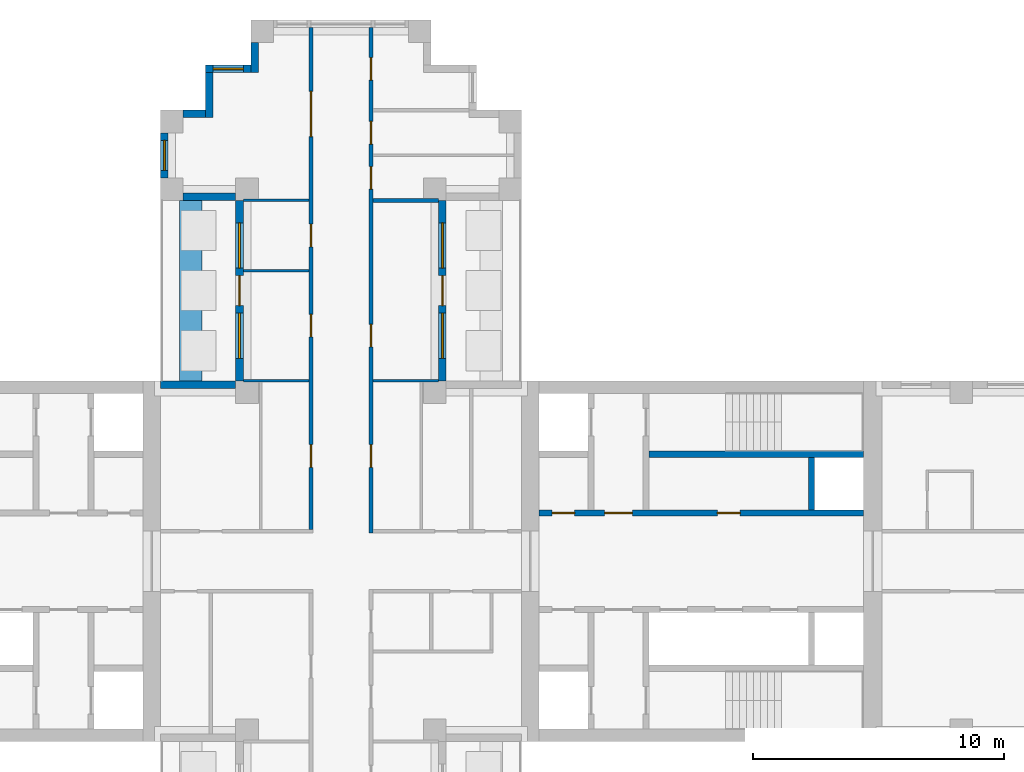
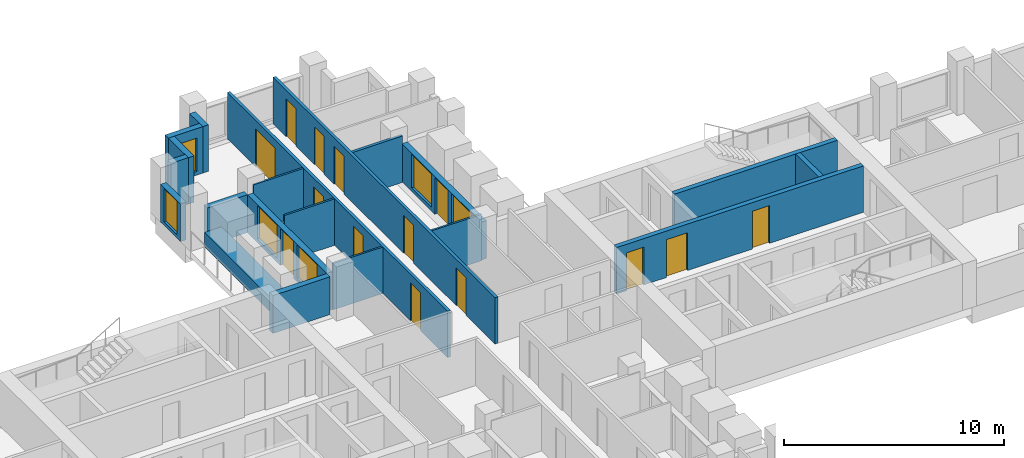
# One storey, part 9 of 14: 20 walls, 14 doors, 6 windows, 20 openings.
"""IFC4 building model written with IfcOpenShell, lengths in metres."""

from ifc_helpers import new_model, si_unit, direction, frame, frame_2d, origin, place, context, subcontext, project, spatial, rectangle, extrude, material, layer, layer_set, type_object, element, fill, save


model = new_model("IFC4")

# Units and contexts
model_context = context("Model", 3, precision=1e-05, world=origin(), true_north=direction((0.0, 1.0)))
body_context = subcontext(model_context, "Body", "Model", "MODEL_VIEW")
ifc_project = project(units=[si_unit("LENGTHUNIT", "METRE"), si_unit("AREAUNIT", "SQUARE_METRE"), si_unit("VOLUMEUNIT", "CUBIC_METRE"), si_unit("PLANEANGLEUNIT", "RADIAN"), si_unit("MASSUNIT", "GRAM", prefix="KILO")], contexts=[model_context])

# Site, building, storey
site_placement = place(None, origin())
site = spatial("IfcSite", under=ifc_project, at=site_placement, CompositionType="ELEMENT")
building_placement = place(site_placement, origin())
building = spatial("IfcBuilding", under=site, at=building_placement, Name="Fustian Cross Tower", CompositionType="ELEMENT")
storey_placement = place(building_placement, frame((0.0, 0.0, 93.89990234375)))
storey = spatial("IfcBuildingStorey", under=building, at=storey_placement, Name="L29", CompositionType="ELEMENT", Elevation=93.89990234375)

# Wall, openings, doors
ifc_material_1 = material(Name="Plasterboard on steel stud", Category="steel")
ifc_layer_1 = layer(ifc_material_1, 0.14990234375)
ifc_layer_set_1 = layer_set([ifc_layer_1], Name="Plasterboard on steel stud")
wall_type_1 = type_object("IfcWallType", Name="COMPARTMENT WALL 150 EI 60", PredefinedType="PARTITIONING", material=ifc_layer_set_1)
wall_1_placement = place(storey_placement, frame((-1.199951171875, 1.27490234375, 0.0), z_axis=(0.0, 0.0, 1.0), x_axis=(0.0, 1.0, 0.0)))
wall_1 = element("IfcWall", 1, at=wall_1_placement, inside=storey, type_object=wall_type_1, Name="Partition 42", PredefinedType="PARTITIONING", context=body_context, shape_type="SweptSolid", body=[
    extrude(rectangle(XDim=20.025146484375, YDim=0.14990234375, at=frame_2d((10.0126953125, 0.0))), origin(), (0.0, 0.0, 1.0), 2.5751953125),
])
opening_1_placement = place(wall_1_placement, frame((2.47509765625, 0.0, 0.0)))
opening_1 = element("IfcOpeningElement", 2, at=opening_1_placement, cuts=wall_1, Name="Opening D14004", PredefinedType="OPENING", context=body_context, shape_type="SweptSolid", body=[
    extrude(rectangle(XDim=0.89990234375, YDim=2.10009765625, at=frame_2d((0.449951171875, 1.050048828125))), frame((0.0, 0.0849609375, 0.0), z_axis=(0.0, -1.0, 0.0), x_axis=(1.0, 0.0, 0.0)), (0.0, 0.0, 1.0), 0.169921875),
])
opening_2_placement = place(wall_1_placement, frame((11.27490234375, 0.0, 0.0)))
opening_2 = element("IfcOpeningElement", 3, at=opening_2_placement, cuts=wall_1, Name="Opening D14020", PredefinedType="OPENING", context=body_context, shape_type="SweptSolid", body=[
    extrude(rectangle(XDim=0.89990234375, YDim=2.10009765625, at=frame_2d((0.449951171875, 1.050048828125))), frame((0.0, 0.0849609375, 0.0), z_axis=(0.0, -1.0, 0.0), x_axis=(1.0, 0.0, 0.0)), (0.0, 0.0, 1.0), 0.169921875),
])
opening_3_placement = place(wall_1_placement, frame((7.675048828125, 0.0, 0.0)))
opening_3 = element("IfcOpeningElement", 4, at=opening_3_placement, cuts=wall_1, Name="Opening D14021", PredefinedType="OPENING", context=body_context, shape_type="SweptSolid", body=[
    extrude(rectangle(XDim=0.89990234375, YDim=2.10009765625, at=frame_2d((0.449951171875, 1.050048828125))), frame((0.0, 0.0849609375, 0.0), z_axis=(0.0, -1.0, 0.0), x_axis=(1.0, 0.0, 0.0)), (0.0, 0.0, 1.0), 0.169921875),
])
opening_4_placement = place(wall_1_placement, frame((15.675048828125, 0.0, 0.0)))
opening_4 = element("IfcOpeningElement", 5, at=opening_4_placement, cuts=wall_1, Name="Opening D14022", PredefinedType="OPENING", context=body_context, shape_type="SweptSolid", body=[
    extrude(rectangle(XDim=1.800048828125, YDim=2.10009765625, at=frame_2d((0.89990234375, 1.050048828125))), frame((0.0, 0.0849609375, 0.0), z_axis=(0.0, -1.0, 0.0), x_axis=(1.0, 0.0, 0.0)), (0.0, 0.0, 1.0), 0.169921875),
])
ifc_material_2 = material(Name="Timber fire door set", Category="wood")
door_type_1 = type_object("IfcDoorType", Name="FIRE DOUBLE DOOR 1800 FD30S", OperationType="DOUBLE_DOOR_DOUBLE_SWING", PredefinedType="DOOR", material=ifc_material_2)
door_1_placement = place(opening_4_placement, frame((1.800048828125, 0.0, 0.0), z_axis=(0.0, 0.0, 1.0), x_axis=(-1.0, 0.0, 0.0)))
door_1 = element("IfcDoor", 6, at=door_1_placement, inside=storey, type_object=door_type_1, Name="Door D14022", OperationType="DOUBLE_DOOR_DOUBLE_SWING", OverallHeight=2.10009765625, OverallWidth=1.800048828125, PredefinedType="DOOR", context=body_context, shape_type="SweptSolid", body=[
    extrude(rectangle(XDim=1.800048828125, YDim=2.10009765625, at=frame_2d((0.89990234375, 1.050048828125))), frame((0.0, 0.02490234375, 0.0), z_axis=(0.0, -1.0, 0.0), x_axis=(1.0, 0.0, 0.0)), (0.0, 0.0, 1.0), 0.050048828125),
])
fill(opening_4, door_1)
ifc_material_3 = material(Name="Timber fire door set", Category="wood")
door_type_2 = type_object("IfcDoorType", Name="FIRE SWING DOOR 900 FD30S", OperationType="SINGLE_SWING_LEFT", PredefinedType="DOOR", material=ifc_material_3)
door_2_placement = place(opening_1_placement, origin())
door_2 = element("IfcDoor", 7, at=door_2_placement, inside=storey, type_object=door_type_2, Name="Door D14004", OperationType="SINGLE_SWING_LEFT", OverallHeight=2.10009765625, OverallWidth=0.89990234375, PredefinedType="DOOR", context=body_context, shape_type="SweptSolid", body=[
    extrude(rectangle(XDim=0.89990234375, YDim=2.10009765625, at=frame_2d((0.449951171875, 1.050048828125))), frame((0.0, 0.02490234375, 0.0), z_axis=(0.0, -1.0, 0.0), x_axis=(1.0, 0.0, 0.0)), (0.0, 0.0, 1.0), 0.050048828125),
])
fill(opening_1, door_2)
door_3_placement = place(opening_2_placement, origin())
door_3 = element("IfcDoor", 8, at=door_3_placement, inside=storey, type_object=door_type_2, Name="Door D14020", OperationType="SINGLE_SWING_LEFT", OverallHeight=2.10009765625, OverallWidth=0.89990234375, PredefinedType="DOOR", context=body_context, shape_type="SweptSolid", body=[
    extrude(rectangle(XDim=0.89990234375, YDim=2.10009765625, at=frame_2d((0.449951171875, 1.050048828125))), frame((0.0, 0.02490234375, 0.0), z_axis=(0.0, -1.0, 0.0), x_axis=(1.0, 0.0, 0.0)), (0.0, 0.0, 1.0), 0.050048828125),
])
fill(opening_2, door_3)
door_4_placement = place(opening_3_placement, origin())
door_4 = element("IfcDoor", 9, at=door_4_placement, inside=storey, type_object=door_type_2, Name="Door D14021", OperationType="SINGLE_SWING_LEFT", OverallHeight=2.10009765625, OverallWidth=0.89990234375, PredefinedType="DOOR", context=body_context, shape_type="SweptSolid", body=[
    extrude(rectangle(XDim=0.89990234375, YDim=2.10009765625, at=frame_2d((0.449951171875, 1.050048828125))), frame((0.0, 0.02490234375, 0.0), z_axis=(0.0, -1.0, 0.0), x_axis=(1.0, 0.0, 0.0)), (0.0, 0.0, 1.0), 0.050048828125),
])
fill(opening_3, door_4)

wall_2_placement = place(storey_placement, frame((1.199951171875, 1.125, 0.0), z_axis=(0.0, 0.0, 1.0), x_axis=(0.0, 1.0, 0.0)))
wall_2 = element("IfcWall", 10, at=wall_2_placement, inside=storey, type_object=wall_type_1, Name="Partition 50", PredefinedType="PARTITIONING", context=body_context, shape_type="SweptSolid", body=[
    extrude(rectangle(XDim=20.175048828125, YDim=0.14990234375, at=frame_2d((10.08740234375, 0.0))), origin(), (0.0, 0.0, 1.0), 2.5751953125),
])
opening_5_placement = place(wall_2_placement, frame((2.625, 0.0, 0.0)))
opening_5 = element("IfcOpeningElement", 11, at=opening_5_placement, cuts=wall_2, Name="Opening D14001", PredefinedType="OPENING", context=body_context, shape_type="SweptSolid", body=[
    extrude(rectangle(XDim=0.89990234375, YDim=2.10009765625, at=frame_2d((0.449951171875, 1.050048828125))), frame((0.0, 0.0849609375, 0.0), z_axis=(0.0, -1.0, 0.0), x_axis=(1.0, 0.0, 0.0)), (0.0, 0.0, 1.0), 0.169921875),
])
opening_6_placement = place(wall_2_placement, frame((7.425048828125, 0.0, 0.0)))
opening_6 = element("IfcOpeningElement", 12, at=opening_6_placement, cuts=wall_2, Name="Opening D14023", PredefinedType="OPENING", context=body_context, shape_type="SweptSolid", body=[
    extrude(rectangle(XDim=0.89990234375, YDim=2.10009765625, at=frame_2d((0.449951171875, 1.050048828125))), frame((0.0, 0.0849609375, 0.0), z_axis=(0.0, -1.0, 0.0), x_axis=(1.0, 0.0, 0.0)), (0.0, 0.0, 1.0), 0.169921875),
])
opening_7_placement = place(wall_2_placement, frame((13.72509765625, 0.0, 0.0)))
opening_7 = element("IfcOpeningElement", 13, at=opening_7_placement, cuts=wall_2, Name="Opening D14024", PredefinedType="OPENING", context=body_context, shape_type="SweptSolid", body=[
    extrude(rectangle(XDim=0.89990234375, YDim=2.10009765625, at=frame_2d((0.449951171875, 1.050048828125))), frame((0.0, 0.0849609375, 0.0), z_axis=(0.0, -1.0, 0.0), x_axis=(1.0, 0.0, 0.0)), (0.0, 0.0, 1.0), 0.169921875),
])
opening_8_placement = place(wall_2_placement, frame((15.52490234375, 0.0, 0.0)))
opening_8 = element("IfcOpeningElement", 14, at=opening_8_placement, cuts=wall_2, Name="Opening D14025", PredefinedType="OPENING", context=body_context, shape_type="SweptSolid", body=[
    extrude(rectangle(XDim=0.89990234375, YDim=2.10009765625, at=frame_2d((0.449951171875, 1.050048828125))), frame((0.0, 0.0849609375, 0.0), z_axis=(0.0, -1.0, 0.0), x_axis=(1.0, 0.0, 0.0)), (0.0, 0.0, 1.0), 0.169921875),
])
opening_9_placement = place(wall_2_placement, frame((18.074951171875, 0.0, 0.0)))
opening_9 = element("IfcOpeningElement", 15, at=opening_9_placement, cuts=wall_2, Name="Opening D14026", PredefinedType="OPENING", context=body_context, shape_type="SweptSolid", body=[
    extrude(rectangle(XDim=0.89990234375, YDim=2.10009765625, at=frame_2d((0.449951171875, 1.050048828125))), frame((0.0, 0.0849609375, 0.0), z_axis=(0.0, -1.0, 0.0), x_axis=(1.0, 0.0, 0.0)), (0.0, 0.0, 1.0), 0.169921875),
])
door_5_placement = place(opening_5_placement, frame((0.89990234375, 0.0, 0.0), z_axis=(0.0, 0.0, 1.0), x_axis=(-1.0, 0.0, 0.0)))
door_5 = element("IfcDoor", 16, at=door_5_placement, inside=storey, type_object=door_type_2, Name="Door D14001", OperationType="SINGLE_SWING_RIGHT", OverallHeight=2.10009765625, OverallWidth=0.89990234375, PredefinedType="DOOR", context=body_context, shape_type="SweptSolid", body=[
    extrude(rectangle(XDim=0.89990234375, YDim=2.10009765625, at=frame_2d((0.449951171875, 1.050048828125))), frame((0.0, 0.02490234375, 0.0), z_axis=(0.0, -1.0, 0.0), x_axis=(1.0, 0.0, 0.0)), (0.0, 0.0, 1.0), 0.050048828125),
])
fill(opening_5, door_5)
door_6_placement = place(opening_6_placement, frame((0.89990234375, 0.0, 0.0), z_axis=(0.0, 0.0, 1.0), x_axis=(-1.0, 0.0, 0.0)))
door_6 = element("IfcDoor", 17, at=door_6_placement, inside=storey, type_object=door_type_2, Name="Door D14023", OperationType="SINGLE_SWING_RIGHT", OverallHeight=2.10009765625, OverallWidth=0.89990234375, PredefinedType="DOOR", context=body_context, shape_type="SweptSolid", body=[
    extrude(rectangle(XDim=0.89990234375, YDim=2.10009765625, at=frame_2d((0.449951171875, 1.050048828125))), frame((0.0, 0.02490234375, 0.0), z_axis=(0.0, -1.0, 0.0), x_axis=(1.0, 0.0, 0.0)), (0.0, 0.0, 1.0), 0.050048828125),
])
fill(opening_6, door_6)
door_7_placement = place(opening_7_placement, frame((0.89990234375, 0.0, 0.0), z_axis=(0.0, 0.0, 1.0), x_axis=(-1.0, 0.0, 0.0)))
door_7 = element("IfcDoor", 18, at=door_7_placement, inside=storey, type_object=door_type_2, Name="Door D14024", OperationType="SINGLE_SWING_LEFT", OverallHeight=2.10009765625, OverallWidth=0.89990234375, PredefinedType="DOOR", context=body_context, shape_type="SweptSolid", body=[
    extrude(rectangle(XDim=0.89990234375, YDim=2.10009765625, at=frame_2d((0.449951171875, 1.050048828125))), frame((0.0, 0.02490234375, 0.0), z_axis=(0.0, -1.0, 0.0), x_axis=(1.0, 0.0, 0.0)), (0.0, 0.0, 1.0), 0.050048828125),
])
fill(opening_7, door_7)
door_8_placement = place(opening_8_placement, frame((0.89990234375, 0.0, 0.0), z_axis=(0.0, 0.0, 1.0), x_axis=(-1.0, 0.0, 0.0)))
door_8 = element("IfcDoor", 19, at=door_8_placement, inside=storey, type_object=door_type_2, Name="Door D14025", OperationType="SINGLE_SWING_LEFT", OverallHeight=2.10009765625, OverallWidth=0.89990234375, PredefinedType="DOOR", context=body_context, shape_type="SweptSolid", body=[
    extrude(rectangle(XDim=0.89990234375, YDim=2.10009765625, at=frame_2d((0.449951171875, 1.050048828125))), frame((0.0, 0.02490234375, 0.0), z_axis=(0.0, -1.0, 0.0), x_axis=(1.0, 0.0, 0.0)), (0.0, 0.0, 1.0), 0.050048828125),
])
fill(opening_8, door_8)
door_9_placement = place(opening_9_placement, frame((0.89990234375, 0.0, 0.0), z_axis=(0.0, 0.0, 1.0), x_axis=(-1.0, 0.0, 0.0)))
door_9 = element("IfcDoor", 20, at=door_9_placement, inside=storey, type_object=door_type_2, Name="Door D14026", OperationType="SINGLE_SWING_RIGHT", OverallHeight=2.10009765625, OverallWidth=0.89990234375, PredefinedType="DOOR", context=body_context, shape_type="SweptSolid", body=[
    extrude(rectangle(XDim=0.89990234375, YDim=2.10009765625, at=frame_2d((0.449951171875, 1.050048828125))), frame((0.0, 0.02490234375, 0.0), z_axis=(0.0, -1.0, 0.0), x_axis=(1.0, 0.0, 0.0)), (0.0, 0.0, 1.0), 0.050048828125),
])
fill(opening_9, door_9)

# Wall
wall_3_placement = place(storey_placement, frame((1.27490234375, 14.39990234375, 0.0), z_axis=(0.0, 0.0, 1.0), x_axis=(1.0, 0.0, 0.0)))
element("IfcWall", 21, at=wall_3_placement, inside=storey, type_object=wall_type_1, Name="Partition 53", PredefinedType="PARTITIONING", context=body_context, shape_type="SweptSolid", body=[
    extrude(rectangle(XDim=2.625, YDim=0.14990234375, at=frame_2d((1.3125, 0.0))), origin(), (0.0, 0.0, 1.0), 2.5751953125),
])

# Wall, openings, doors
ifc_material_4 = material(Name="Concrete C50/60", Category="concrete")
ifc_layer_2 = layer(ifc_material_4, 0.25)
ifc_layer_set_2 = layer_set([ifc_layer_2], Name="Concrete C50/60")
wall_type_2 = type_object("IfcWallType", Name="CORE LOBBY WALL 250 C50/60", PredefinedType="SHEAR", material=ifc_layer_set_2)
wall_4_placement = place(storey_placement, frame((7.89990234375, 1.925048828125, 0.0), z_axis=(0.0, 0.0, 1.0), x_axis=(1.0, 0.0, 0.0)))
wall_4 = element("IfcWall", 22, at=wall_4_placement, inside=storey, type_object=wall_type_2, Name="Core lobby wall", PredefinedType="SHEAR", context=body_context, shape_type="SweptSolid", body=[
    extrude(rectangle(XDim=12.9501953125, YDim=0.25, at=frame_2d((6.47509765625, 0.0))), origin(), (0.0, 0.0, 1.0), 2.5751953125),
])
opening_10_placement = place(wall_4_placement, frame((0.52490234375, 0.0, 0.0)))
opening_10 = element("IfcOpeningElement", 23, at=opening_10_placement, cuts=wall_4, Name="Opening CD-09-08", PredefinedType="OPENING", context=body_context, shape_type="SweptSolid", body=[
    extrude(rectangle(XDim=0.89990234375, YDim=2.10009765625, at=frame_2d((0.449951171875, 1.050048828125))), frame((0.0, 0.135009765625, 0.0), z_axis=(0.0, -1.0, 0.0), x_axis=(1.0, 0.0, 0.0)), (0.0, 0.0, 1.0), 0.27001953125),
])
opening_11_placement = place(wall_4_placement, frame((2.625, 0.0, 0.0)))
opening_11 = element("IfcOpeningElement", 24, at=opening_11_placement, cuts=wall_4, Name="Opening CD-09-10", PredefinedType="OPENING", context=body_context, shape_type="SweptSolid", body=[
    extrude(rectangle(XDim=1.10009765625, YDim=2.10009765625, at=frame_2d((0.550048828125, 1.050048828125))), frame((0.0, 0.135009765625, 0.0), z_axis=(0.0, -1.0, 0.0), x_axis=(1.0, 0.0, 0.0)), (0.0, 0.0, 1.0), 0.27001953125),
])
opening_12_placement = place(wall_4_placement, frame((7.125, 0.0, 0.0)))
opening_12 = element("IfcOpeningElement", 25, at=opening_12_placement, cuts=wall_4, Name="Opening CD-09-14", PredefinedType="OPENING", context=body_context, shape_type="SweptSolid", body=[
    extrude(rectangle(XDim=0.89990234375, YDim=2.10009765625, at=frame_2d((0.449951171875, 1.050048828125))), frame((0.0, 0.135009765625, 0.0), z_axis=(0.0, -1.0, 0.0), x_axis=(1.0, 0.0, 0.0)), (0.0, 0.0, 1.0), 0.27001953125),
])
ifc_material_5 = material(Name="Steel", Category="steel")
door_type_3 = type_object("IfcDoorType", Name="FIRE DOOR FD30S 900X2100", OperationType="SINGLE_SWING_LEFT", PredefinedType="DOOR", material=ifc_material_5)
door_10_placement = place(opening_12_placement, origin())
door_10 = element("IfcDoor", 26, at=door_10_placement, inside=storey, type_object=door_type_3, Name="Core door CD-09-14", OperationType="SINGLE_SWING_LEFT", OverallHeight=2.10009765625, OverallWidth=0.89990234375, PredefinedType="DOOR", context=body_context, shape_type="SweptSolid", body=[
    extrude(rectangle(XDim=0.89990234375, YDim=2.10009765625, at=frame_2d((0.449951171875, 1.050048828125))), frame((0.0, 0.02490234375, 0.0), z_axis=(0.0, -1.0, 0.0), x_axis=(1.0, 0.0, 0.0)), (0.0, 0.0, 1.0), 0.050048828125),
])
fill(opening_12, door_10)
ifc_material_6 = material(Name="Steel", Category="steel")
door_type_4 = type_object("IfcDoorType", Name="FIRE DOOR FD60S 1100X2100", OperationType="SINGLE_SWING_LEFT", PredefinedType="DOOR", material=ifc_material_6)
door_11_placement = place(opening_11_placement, frame((1.10009765625, 0.0, 0.0), z_axis=(0.0, 0.0, 1.0), x_axis=(-1.0, 0.0, 0.0)))
door_11 = element("IfcDoor", 27, at=door_11_placement, inside=storey, type_object=door_type_4, Name="Core door CD-09-10", OperationType="SINGLE_SWING_RIGHT", OverallHeight=2.10009765625, OverallWidth=1.10009765625, PredefinedType="DOOR", context=body_context, shape_type="SweptSolid", body=[
    extrude(rectangle(XDim=1.10009765625, YDim=2.10009765625, at=frame_2d((0.550048828125, 1.050048828125))), frame((0.0, 0.02490234375, 0.0), z_axis=(0.0, -1.0, 0.0), x_axis=(1.0, 0.0, 0.0)), (0.0, 0.0, 1.0), 0.050048828125),
])
fill(opening_11, door_11)
ifc_material_7 = material(Name="Steel", Category="steel")
door_type_5 = type_object("IfcDoorType", Name="FIRE DOOR FD60S 900X2100", OperationType="SINGLE_SWING_LEFT", PredefinedType="DOOR", material=ifc_material_7)
door_12_placement = place(opening_10_placement, origin())
door_12 = element("IfcDoor", 28, at=door_12_placement, inside=storey, type_object=door_type_5, Name="Core door CD-09-08", OperationType="SINGLE_SWING_LEFT", OverallHeight=2.10009765625, OverallWidth=0.89990234375, PredefinedType="DOOR", context=body_context, shape_type="SweptSolid", body=[
    extrude(rectangle(XDim=0.89990234375, YDim=2.10009765625, at=frame_2d((0.449951171875, 1.050048828125))), frame((0.0, 0.02490234375, 0.0), z_axis=(0.0, -1.0, 0.0), x_axis=(1.0, 0.0, 0.0)), (0.0, 0.0, 1.0), 0.050048828125),
])
fill(opening_10, door_12)

# Walls
ifc_material_8 = material(Name="Concrete C50/60", Category="concrete")
ifc_layer_3 = layer(ifc_material_8, 0.25)
ifc_layer_set_3 = layer_set([ifc_layer_3], Name="Concrete C50/60")
wall_type_3 = type_object("IfcWallType", Name="CORE SHAFT WALL 250 C50/60", PredefinedType="SHEAR", material=ifc_layer_set_3)
wall_5_placement = place(storey_placement, frame((12.300048828125, 4.27490234375, 0.0), z_axis=(0.0, 0.0, 1.0), x_axis=(1.0, 0.0, 0.0)))
element("IfcWall", 29, at=wall_5_placement, inside=storey, type_object=wall_type_3, Name="Core shaft wall", PredefinedType="SHEAR", context=body_context, shape_type="SweptSolid", body=[
    extrude(rectangle(XDim=8.550048828125, YDim=0.25, at=frame_2d((4.27490234375, 0.0))), origin(), (0.0, 0.0, 1.0), 2.5751953125),
])
ifc_material_9 = material(Name="Plasterboard on steel stud", Category="steel")
ifc_layer_4 = layer(ifc_material_9, 0.10009765625)
ifc_layer_set_4 = layer_set([ifc_layer_4], Name="Plasterboard on steel stud")
wall_type_4 = type_object("IfcWallType", Name="PARTITION 100 STUD", PredefinedType="PARTITIONING", material=ifc_layer_set_4)
for number, where, z_axis, x_axis, name in (
    (30, (-3.89990234375, 7.199951171875, 0.0), (0.0, 0.0, 1.0), (1.0, 0.0, 0.0), "Partition 35"),
    (31, (-3.89990234375, 11.60009765625, 0.0), (0.0, 0.0, 1.0), (1.0, 0.0, 0.0), "Partition 36"),
    (32, (-3.89990234375, 14.39990234375, 0.0), (0.0, 0.0, 1.0), (1.0, 0.0, 0.0), "Partition 37"),
    (33, (1.27490234375, 7.199951171875, 0.0), (0.0, 0.0, 1.0), (1.0, 0.0, 0.0), "Partition 52"),
):
    element("IfcWall", number, at=place(storey_placement, frame(where, z_axis=z_axis, x_axis=x_axis)), inside=storey, type_object=wall_type_4, Name=name, PredefinedType="PARTITIONING", context=body_context, shape_type="SweptSolid", body=[
        extrude(rectangle(XDim=2.625, YDim=0.10009765625, at=frame_2d((1.3125, 0.0))), origin(), (0.0, 0.0, 1.0), 2.5751953125),
    ])
ifc_material_10 = material(Name="Concrete C40/50", Category="concrete")
ifc_layer_5 = layer(ifc_material_10, 0.89990234375)
ifc_layer_set_5 = layer_set([ifc_layer_5], Name="Concrete C40/50")
wall_type_5 = type_object("IfcWallType", Name="PK1 PLANTER 900", PredefinedType="PARAPET", material=ifc_layer_set_5)
wall_6_placement = place(storey_placement, frame((-6.0, 7.199951171875, 0.0), z_axis=(0.0, 0.0, 1.0), x_axis=(0.0, 1.0, 0.0)))
element("IfcWall", 34, at=wall_6_placement, inside=storey, type_object=wall_type_5, Name="PLANTER", PredefinedType="PARAPET", context=body_context, shape_type="SweptSolid", body=[
    extrude(rectangle(XDim=7.199951171875, YDim=0.89990234375, at=frame_2d((3.60009765625, 0.0))), origin(), (0.0, 0.0, 1.0), 0.800048828125),
])
ifc_material_11 = material(Name="Concrete C40/50", Category="concrete")
ifc_layer_6 = layer(ifc_material_11, 0.25)
ifc_layer_set_6 = layer_set([ifc_layer_6], Name="Concrete C40/50")
wall_type_6 = type_object("IfcWallType", Name="SHAFT PARTITION WALL 250 C40/50", PredefinedType="PARTITIONING", material=ifc_layer_set_6)
wall_7_placement = place(storey_placement, frame((18.77490234375, 2.050048828125, 0.0), z_axis=(0.0, 0.0, 1.0), x_axis=(0.0, 1.0, 0.0)))
element("IfcWall", 35, at=wall_7_placement, inside=storey, type_object=wall_type_6, Name="Core shaft wall", PredefinedType="PARTITIONING", context=body_context, shape_type="SweptSolid", body=[
    extrude(rectangle(XDim=2.099853515625, YDim=0.25, at=frame_2d((1.0498046875, 0.0))), origin(), (0.0, 0.0, 1.0), 2.5751953125),
])

# Wall, openings, door, windows
ifc_material_12 = material(Name="Dark aluminium cladding on insulated backing wall", Category="aluminium")
ifc_layer_7 = layer(ifc_material_12, 0.300048828125)
ifc_layer_set_7 = layer_set([ifc_layer_7], Name="Dark aluminium cladding on insulated backing wall")
wall_type_7 = type_object("IfcWallType", Name="XW1 EXTERNAL WALL 300", PredefinedType="SOLIDWALL", material=ifc_layer_set_7)
wall_8_placement = place(storey_placement, frame((4.050048828125, 7.199951171875, 0.0), z_axis=(0.0, 0.0, 1.0), x_axis=(0.0, 1.0, 0.0)))
wall_8 = element("IfcWall", 36, at=wall_8_placement, inside=storey, type_object=wall_type_7, Name="External wall", PredefinedType="SOLIDWALL", context=body_context, shape_type="SweptSolid", body=[
    extrude(rectangle(XDim=7.199951171875, YDim=0.300048828125, at=frame_2d((3.60009765625, 0.0))), origin(), (0.0, 0.0, 1.0), 2.10009765625),
])
opening_13_placement = place(wall_8_placement, frame((3.0, 0.0, 0.0)))
opening_13 = element("IfcOpeningElement", 37, at=opening_13_placement, cuts=wall_8, Name="Opening XD1", PredefinedType="OPENING", context=body_context, shape_type="SweptSolid", body=[
    extrude(rectangle(XDim=1.199951171875, YDim=2.050048828125, at=frame_2d((0.60009765625, 1.02490234375))), frame((0.0, 0.159912109375, 0.0), z_axis=(0.0, -1.0, 0.0), x_axis=(1.0, 0.0, 0.0)), (0.0, 0.0, 1.0), 0.320068359375),
])
opening_14_placement = place(wall_8_placement, frame((0.89990234375, 0.0, 0.199951171875)))
opening_14 = element("IfcOpeningElement", 38, at=opening_14_placement, cuts=wall_8, Name="Opening WN2", PredefinedType="OPENING", context=body_context, shape_type="SweptSolid", body=[
    extrude(rectangle(XDim=1.800048828125, YDim=1.85009765625, at=frame_2d((0.89990234375, 0.925048828125))), frame((0.0, 0.159912109375, 0.0), z_axis=(0.0, -1.0, 0.0), x_axis=(1.0, 0.0, 0.0)), (0.0, 0.0, 1.0), 0.320068359375),
])
opening_15_placement = place(wall_8_placement, frame((4.5, 0.0, 0.199951171875)))
opening_15 = element("IfcOpeningElement", 39, at=opening_15_placement, cuts=wall_8, Name="Opening WN2", PredefinedType="OPENING", context=body_context, shape_type="SweptSolid", body=[
    extrude(rectangle(XDim=1.800048828125, YDim=1.85009765625, at=frame_2d((0.89990234375, 0.925048828125))), frame((0.0, 0.159912109375, 0.0), z_axis=(0.0, -1.0, 0.0), x_axis=(1.0, 0.0, 0.0)), (0.0, 0.0, 1.0), 0.320068359375),
])
ifc_material_13 = material(Name="Dark anodised aluminium and double glazing", Category="aluminium")
door_type_6 = type_object("IfcDoorType", Name="ED1 BALCONY DOOR 1200X2050", OperationType="SINGLE_SWING_LEFT", PredefinedType="DOOR", material=ifc_material_13)
door_13_placement = place(opening_13_placement, origin())
door_13 = element("IfcDoor", 40, at=door_13_placement, inside=storey, type_object=door_type_6, Name="Balcony door", OperationType="SINGLE_SWING_LEFT", OverallHeight=2.050048828125, OverallWidth=1.199951171875, PredefinedType="DOOR", context=body_context, shape_type="SweptSolid", body=[
    extrude(rectangle(XDim=1.199951171875, YDim=2.050048828125, at=frame_2d((0.60009765625, 1.02490234375))), frame((0.0, 0.02490234375, 0.0), z_axis=(0.0, -1.0, 0.0), x_axis=(1.0, 0.0, 0.0)), (0.0, 0.0, 1.0), 0.050048828125),
])
fill(opening_13, door_13)
ifc_material_14 = material(Name="Dark anodised aluminium and double glazing", Category="aluminium")
window_type_1 = type_object("IfcWindowType", Name="WN2 WINDOW 1800X1850", PartitioningType="SINGLE_PANEL", PredefinedType="WINDOW", material=ifc_material_14)
window_1_placement = place(opening_14_placement, origin())
window_1 = element("IfcWindow", 41, at=window_1_placement, inside=storey, type_object=window_type_1, Name="Window", OverallHeight=1.85009765625, OverallWidth=1.800048828125, PartitioningType="SINGLE_PANEL", PredefinedType="WINDOW", context=body_context, shape_type="SweptSolid", body=[
    extrude(rectangle(XDim=1.800048828125, YDim=1.85009765625, at=frame_2d((0.89990234375, 0.925048828125))), frame((0.0, 0.030029296875, 0.0), z_axis=(0.0, -1.0, 0.0), x_axis=(1.0, 0.0, 0.0)), (0.0, 0.0, 1.0), 0.06005859375),
])
fill(opening_14, window_1)
window_2_placement = place(opening_15_placement, origin())
window_2 = element("IfcWindow", 42, at=window_2_placement, inside=storey, type_object=window_type_1, Name="Window", OverallHeight=1.85009765625, OverallWidth=1.800048828125, PartitioningType="SINGLE_PANEL", PredefinedType="WINDOW", context=body_context, shape_type="SweptSolid", body=[
    extrude(rectangle(XDim=1.800048828125, YDim=1.85009765625, at=frame_2d((0.89990234375, 0.925048828125))), frame((0.0, 0.030029296875, 0.0), z_axis=(0.0, -1.0, 0.0), x_axis=(1.0, 0.0, 0.0)), (0.0, 0.0, 1.0), 0.06005859375),
])
fill(opening_15, window_2)

# Wall
wall_9_placement = place(storey_placement, frame((-3.449951171875, 20.699951171875, 0.0), z_axis=(0.0, 0.0, 1.0), x_axis=(0.0, -1.0, 0.0)))
element("IfcWall", 43, at=wall_9_placement, inside=storey, type_object=wall_type_7, Name="External wall", PredefinedType="SOLIDWALL", context=body_context, shape_type="SweptSolid", body=[
    extrude(rectangle(XDim=1.199951171875, YDim=0.300048828125, at=frame_2d((0.60009765625, 0.0))), origin(), (0.0, 0.0, 1.0), 2.5751953125),
])

# Wall, opening, window
wall_10_placement = place(storey_placement, frame((-3.60009765625, 19.64990234375, 0.0), z_axis=(0.0, 0.0, 1.0), x_axis=(-1.0, 0.0, 0.0)))
wall_10 = element("IfcWall", 44, at=wall_10_placement, inside=storey, type_object=wall_type_7, Name="External wall", PredefinedType="SOLIDWALL", context=body_context, shape_type="SweptSolid", body=[
    extrude(rectangle(XDim=1.7998046875, YDim=0.300048828125, at=frame_2d((0.89990234375, 0.0))), origin(), (0.0, 0.0, 1.0), 2.5751953125),
])
opening_16_placement = place(wall_10_placement, frame((0.300048828125, 0.0, 0.199951171875)))
opening_16 = element("IfcOpeningElement", 45, at=opening_16_placement, cuts=wall_10, Name="Opening WN3", PredefinedType="OPENING", context=body_context, shape_type="SweptSolid", body=[
    extrude(rectangle(XDim=1.199951171875, YDim=1.85009765625, at=frame_2d((0.60009765625, 0.925048828125))), frame((0.0, 0.159912109375, 0.0), z_axis=(0.0, -1.0, 0.0), x_axis=(1.0, 0.0, 0.0)), (0.0, 0.0, 1.0), 0.320068359375),
])
ifc_material_15 = material(Name="Dark anodised aluminium and double glazing", Category="aluminium")
window_type_2 = type_object("IfcWindowType", Name="WN3 WINDOW 1200X1850", PartitioningType="SINGLE_PANEL", PredefinedType="WINDOW", material=ifc_material_15)
window_3_placement = place(opening_16_placement, origin())
window_3 = element("IfcWindow", 46, at=window_3_placement, inside=storey, type_object=window_type_2, Name="Window", OverallHeight=1.85009765625, OverallWidth=1.199951171875, PartitioningType="SINGLE_PANEL", PredefinedType="WINDOW", context=body_context, shape_type="SweptSolid", body=[
    extrude(rectangle(XDim=1.199951171875, YDim=1.85009765625, at=frame_2d((0.60009765625, 0.925048828125))), frame((0.0, 0.030029296875, 0.0), z_axis=(0.0, -1.0, 0.0), x_axis=(1.0, 0.0, 0.0)), (0.0, 0.0, 1.0), 0.06005859375),
])
fill(opening_16, window_3)

# Walls
wall_11_placement = place(storey_placement, frame((-5.25, 19.5, 0.0), z_axis=(0.0, 0.0, 1.0), x_axis=(0.0, -1.0, 0.0)))
element("IfcWall", 47, at=wall_11_placement, inside=storey, type_object=wall_type_7, Name="External wall", PredefinedType="SOLIDWALL", context=body_context, shape_type="SweptSolid", body=[
    extrude(rectangle(XDim=1.800048828125, YDim=0.300048828125, at=frame_2d((0.89990234375, 0.0))), origin(), (0.0, 0.0, 1.0), 2.5751953125),
])
wall_12_placement = place(storey_placement, frame((-5.39990234375, 17.85009765625, 0.0), z_axis=(0.0, 0.0, 1.0), x_axis=(-1.0, 0.0, 0.0)))
element("IfcWall", 48, at=wall_12_placement, inside=storey, type_object=wall_type_7, Name="External wall", PredefinedType="SOLIDWALL", context=body_context, shape_type="SweptSolid", body=[
    extrude(rectangle(XDim=0.900146484375, YDim=0.300048828125, at=frame_2d((0.4501953125, 0.0))), origin(), (0.0, 0.0, 1.0), 2.5751953125),
])

# Wall, opening, window
wall_13_placement = place(storey_placement, frame((-7.050048828125, 17.10009765625, 0.0), z_axis=(0.0, 0.0, 1.0), x_axis=(0.0, -1.0, 0.0)))
wall_13 = element("IfcWall", 49, at=wall_13_placement, inside=storey, type_object=wall_type_7, Name="External wall", PredefinedType="SOLIDWALL", context=body_context, shape_type="SweptSolid", body=[
    extrude(rectangle(XDim=1.800048828125, YDim=0.300048828125, at=frame_2d((0.89990234375, 0.0))), origin(), (0.0, 0.0, 1.0), 2.10009765625),
])
opening_17_placement = place(wall_13_placement, frame((0.300048828125, 0.0, 0.199951171875)))
opening_17 = element("IfcOpeningElement", 50, at=opening_17_placement, cuts=wall_13, Name="Opening WN3", PredefinedType="OPENING", context=body_context, shape_type="SweptSolid", body=[
    extrude(rectangle(XDim=1.199951171875, YDim=1.85009765625, at=frame_2d((0.60009765625, 0.925048828125))), frame((0.0, 0.159912109375, 0.0), z_axis=(0.0, -1.0, 0.0), x_axis=(1.0, 0.0, 0.0)), (0.0, 0.0, 1.0), 0.320068359375),
])
window_4_placement = place(opening_17_placement, origin())
window_4 = element("IfcWindow", 51, at=window_4_placement, inside=storey, type_object=window_type_2, Name="Window", OverallHeight=1.85009765625, OverallWidth=1.199951171875, PartitioningType="SINGLE_PANEL", PredefinedType="WINDOW", context=body_context, shape_type="SweptSolid", body=[
    extrude(rectangle(XDim=1.199951171875, YDim=1.85009765625, at=frame_2d((0.60009765625, 0.925048828125))), frame((0.0, 0.030029296875, 0.0), z_axis=(0.0, -1.0, 0.0), x_axis=(1.0, 0.0, 0.0)), (0.0, 0.0, 1.0), 0.06005859375),
])
fill(opening_17, window_4)

# Wall
wall_14_placement = place(storey_placement, frame((-6.300048828125, 14.550048828125, 0.0), z_axis=(0.0, 0.0, 1.0), x_axis=(1.0, 0.0, 0.0)))
element("IfcWall", 52, at=wall_14_placement, inside=storey, type_object=wall_type_7, Name="External wall", PredefinedType="SOLIDWALL", context=body_context, shape_type="SweptSolid", body=[
    extrude(rectangle(XDim=2.10009765625, YDim=0.300048828125, at=frame_2d((1.050048828125, 0.0))), origin(), (0.0, 0.0, 1.0), 2.10009765625),
])

# Wall, openings, door, windows
wall_15_placement = place(storey_placement, frame((-4.050048828125, 14.39990234375, 0.0), z_axis=(0.0, 0.0, 1.0), x_axis=(0.0, -1.0, 0.0)))
wall_15 = element("IfcWall", 53, at=wall_15_placement, inside=storey, type_object=wall_type_7, Name="External wall", PredefinedType="SOLIDWALL", context=body_context, shape_type="SweptSolid", body=[
    extrude(rectangle(XDim=7.199951171875, YDim=0.300048828125, at=frame_2d((3.60009765625, 0.0))), origin(), (0.0, 0.0, 1.0), 2.10009765625),
])
opening_18_placement = place(wall_15_placement, frame((3.0, 0.0, 0.0)))
opening_18 = element("IfcOpeningElement", 54, at=opening_18_placement, cuts=wall_15, Name="Opening XD2", PredefinedType="OPENING", context=body_context, shape_type="SweptSolid", body=[
    extrude(rectangle(XDim=1.199951171875, YDim=2.050048828125, at=frame_2d((0.60009765625, 1.02490234375))), frame((0.0, 0.159912109375, 0.0), z_axis=(0.0, -1.0, 0.0), x_axis=(1.0, 0.0, 0.0)), (0.0, 0.0, 1.0), 0.320068359375),
])
opening_19_placement = place(wall_15_placement, frame((0.89990234375, 0.0, 0.199951171875)))
opening_19 = element("IfcOpeningElement", 55, at=opening_19_placement, cuts=wall_15, Name="Opening WN2", PredefinedType="OPENING", context=body_context, shape_type="SweptSolid", body=[
    extrude(rectangle(XDim=1.800048828125, YDim=1.85009765625, at=frame_2d((0.89990234375, 0.925048828125))), frame((0.0, 0.159912109375, 0.0), z_axis=(0.0, -1.0, 0.0), x_axis=(1.0, 0.0, 0.0)), (0.0, 0.0, 1.0), 0.320068359375),
])
opening_20_placement = place(wall_15_placement, frame((4.5, 0.0, 0.199951171875)))
opening_20 = element("IfcOpeningElement", 56, at=opening_20_placement, cuts=wall_15, Name="Opening WN2", PredefinedType="OPENING", context=body_context, shape_type="SweptSolid", body=[
    extrude(rectangle(XDim=1.800048828125, YDim=1.85009765625, at=frame_2d((0.89990234375, 0.925048828125))), frame((0.0, 0.159912109375, 0.0), z_axis=(0.0, -1.0, 0.0), x_axis=(1.0, 0.0, 0.0)), (0.0, 0.0, 1.0), 0.320068359375),
])
door_14_placement = place(opening_18_placement, origin())
door_14 = element("IfcDoor", 57, at=door_14_placement, inside=storey, type_object=door_type_6, Name="Balcony door", OperationType="SINGLE_SWING_LEFT", OverallHeight=2.050048828125, OverallWidth=1.199951171875, PredefinedType="DOOR", context=body_context, shape_type="SweptSolid", body=[
    extrude(rectangle(XDim=1.199951171875, YDim=2.050048828125, at=frame_2d((0.60009765625, 1.02490234375))), frame((0.0, 0.02490234375, 0.0), z_axis=(0.0, -1.0, 0.0), x_axis=(1.0, 0.0, 0.0)), (0.0, 0.0, 1.0), 0.050048828125),
])
fill(opening_18, door_14)
window_5_placement = place(opening_19_placement, origin())
window_5 = element("IfcWindow", 58, at=window_5_placement, inside=storey, type_object=window_type_1, Name="Window", OverallHeight=1.85009765625, OverallWidth=1.800048828125, PartitioningType="SINGLE_PANEL", PredefinedType="WINDOW", context=body_context, shape_type="SweptSolid", body=[
    extrude(rectangle(XDim=1.800048828125, YDim=1.85009765625, at=frame_2d((0.89990234375, 0.925048828125))), frame((0.0, 0.030029296875, 0.0), z_axis=(0.0, -1.0, 0.0), x_axis=(1.0, 0.0, 0.0)), (0.0, 0.0, 1.0), 0.06005859375),
])
fill(opening_19, window_5)
window_6_placement = place(opening_20_placement, origin())
window_6 = element("IfcWindow", 59, at=window_6_placement, inside=storey, type_object=window_type_1, Name="Window", OverallHeight=1.85009765625, OverallWidth=1.800048828125, PartitioningType="SINGLE_PANEL", PredefinedType="WINDOW", context=body_context, shape_type="SweptSolid", body=[
    extrude(rectangle(XDim=1.800048828125, YDim=1.85009765625, at=frame_2d((0.89990234375, 0.925048828125))), frame((0.0, 0.030029296875, 0.0), z_axis=(0.0, -1.0, 0.0), x_axis=(1.0, 0.0, 0.0)), (0.0, 0.0, 1.0), 0.06005859375),
])
fill(opening_20, window_6)

# Wall
wall_16_placement = place(storey_placement, frame((-4.199951171875, 7.050048828125, 0.0), z_axis=(0.0, 0.0, 1.0), x_axis=(-1.0, 0.0, 0.0)))
element("IfcWall", 60, at=wall_16_placement, inside=storey, type_object=wall_type_7, Name="External wall", PredefinedType="SOLIDWALL", context=body_context, shape_type="SweptSolid", body=[
    extrude(rectangle(XDim=3.0, YDim=0.300048828125, at=frame_2d((1.5, 0.0))), origin(), (0.0, 0.0, 1.0), 2.10009765625),
])

save(model, "model.ifc")
